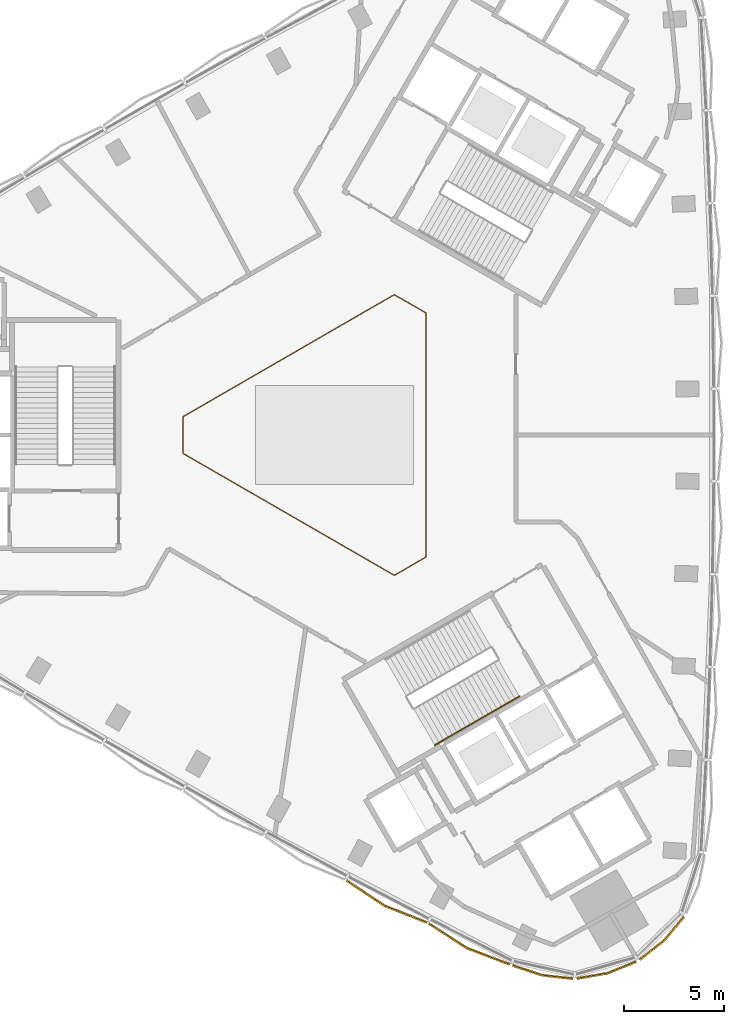
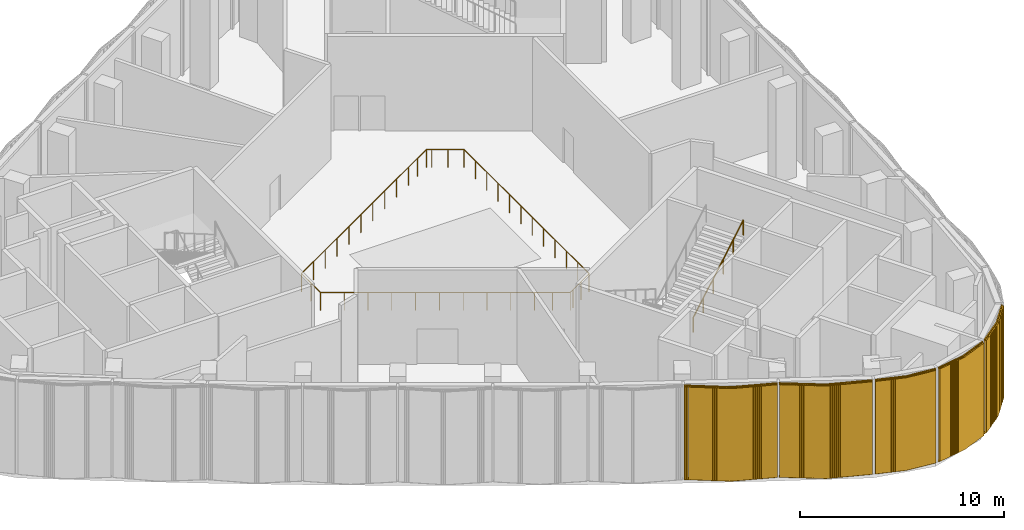
# One storey, part 10 of 14: 5 coverings, 2 railings.
"""IFC4 building model written with IfcOpenShell, lengths in metres."""

from ifc_helpers import new_model, si_unit, direction, frame, frame_2d, origin, origin_2d, place, context, subcontext, project, spatial, rectangle, circle, extrude, source, transform, mapped, material, type_object, element, save


model = new_model("IFC4")

# Units and contexts
model_context = context("Model", 3, precision=1e-05, world=origin(), true_north=direction((0.0, 1.0)))
body_context = subcontext(model_context, "Body", "Model", "MODEL_VIEW")
ifc_project = project(units=[si_unit("LENGTHUNIT", "METRE"), si_unit("AREAUNIT", "SQUARE_METRE"), si_unit("VOLUMEUNIT", "CUBIC_METRE"), si_unit("PLANEANGLEUNIT", "RADIAN"), si_unit("MASSUNIT", "GRAM", prefix="KILO")], contexts=[model_context])

# Site, building, storey
site_placement = place(None, origin())
site = spatial("IfcSite", under=ifc_project, at=site_placement, CompositionType="ELEMENT")
building_placement = place(site_placement, origin())
building = spatial("IfcBuilding", under=site, at=building_placement, Name="Tamra Quay Hotel Tower", CompositionType="ELEMENT")
storey_placement = place(building_placement, frame((0.0, 0.0, 169.60009765625)))
storey = spatial("IfcBuildingStorey", under=building, at=storey_placement, Name="L42", CompositionType="ELEMENT", Elevation=169.60009765625)

# Railings
ifc_material_1 = material(Name="Guard atrium edge 1100")
railing_type_1 = type_object("IfcRailingType", Name="Guard atrium edge 1100", PredefinedType="GUARDRAIL", material=ifc_material_1)
railing_1_placement = place(storey_placement, frame((3.23095703125, -6.909912109375, 0.0)))
element("IfcRailing", 1, at=railing_1_placement, inside=storey, type_object=railing_type_1, Name="G-A", PredefinedType="GUARDRAIL", context=body_context, shape_type="SweptSolid", body=[
    extrude(circle(Radius=0.02392578125, at=origin_2d()), frame((0.0, 0.0, 1.076171875), z_axis=(-0.871230985841, -0.490873272149, 0.0), x_axis=(0.490873272149, -0.871230985841, 0.0)), (0.0, 0.0, 1.0), 0.26513671875),
    extrude(circle(Radius=0.02392578125, at=origin_2d()), frame((-0.23095703125, -0.130126953125, 1.076171875), z_axis=(-0.866136717716, 0.499807149032, 0.0), x_axis=(-0.499807149032, -0.866136717716, 0.0)), (0.0, 0.0, 1.0), 1.746826171875),
    extrude(circle(Radius=0.02392578125, at=origin_2d()), frame((-1.743896484375, 0.742919921875, 1.076171875), z_axis=(-0.866164648448, 0.499758743575, 0.0), x_axis=(-0.499758743575, -0.866164648448, 0.0)), (0.0, 0.0, 1.0), 10.483154296875),
    extrude(circle(Radius=0.02392578125, at=origin_2d()), frame((-10.823974609375, 5.98193359375, 1.076171875), z_axis=(-0.002112764332, 0.999997768111, 0.0), x_axis=(-0.999997768111, -0.002112764332, 0.0)), (0.0, 0.0, 1.0), 1.848876953125),
    extrude(circle(Radius=0.02392578125, at=origin_2d()), frame((-10.827880859375, 7.830810546875, 1.076171875), z_axis=(0.865849387094, 0.500304745999, 0.0), x_axis=(-0.500304745999, 0.865849387094, 0.0)), (0.0, 0.0, 1.0), 10.48779296875),
    extrude(circle(Radius=0.02392578125, at=origin_2d()), frame((-1.7470703125, 13.077880859375, 1.076171875), z_axis=(0.866830894249, 0.498602247062, 0.0), x_axis=(-0.498602247062, 0.866830894249, 0.0)), (0.0, 0.0, 1.0), 1.7490234375),
    extrude(circle(Radius=0.02392578125, at=origin_2d()), frame((-0.23095703125, 13.949951171875, 1.076171875), z_axis=(0.866926357117, -0.498436246009, 0.0), x_axis=(0.498436246009, 0.866926357117, 0.0)), (0.0, 0.0, 1.0), 0.262939453125),
    extrude(circle(Radius=0.02392578125, at=origin_2d()), frame((-0.0029296875, 13.81884765625, 1.076171875), z_axis=(0.866894577435, -0.498491516089, 0.0), x_axis=(0.498491516089, 0.866894577435, 0.0)), (0.0, 0.0, 1.0), 1.574462890625),
    extrude(circle(Radius=0.02392578125, at=origin_2d()), frame((1.362060546875, 13.033935546875, 1.076171875), z_axis=(0.00031911285, -0.999999949083, 0.0), x_axis=(0.999999949083, 0.00031911285, 0.0)), (0.0, 0.0, 1.0), 12.240966796875),
    extrude(circle(Radius=0.02392578125, at=origin_2d()), frame((1.365966796875, 0.79296875, 1.076171875), z_axis=(-0.864836577702, -0.5020534771, 0.0), x_axis=(0.5020534771, -0.864836577702, 0.0)), (0.0, 0.0, 1.0), 1.579345703125),
    extrude(circle(Radius=0.02099609375, at=origin_2d()), origin(), (0.0, 0.0, 1.0), 1.052001953125),
    extrude(circle(Radius=0.02099609375, at=origin_2d()), frame((-0.23095703125, -0.130126953125, 0.0)), (0.0, 0.0, 1.0), 1.052001953125),
    extrude(circle(Radius=0.02099609375, at=origin_2d()), frame((-0.9873046875, 0.306396484375, 0.0)), (0.0, 0.0, 1.0), 1.052001953125),
    extrude(circle(Radius=0.02099609375, at=origin_2d()), frame((-1.743896484375, 0.742919921875, 0.0)), (0.0, 0.0, 1.0), 1.052001953125),
    extrude(circle(Radius=0.02099609375, at=origin_2d()), frame((-2.752685546875, 1.324951171875, 0.0)), (0.0, 0.0, 1.0), 1.052001953125),
    extrude(circle(Radius=0.02099609375, at=origin_2d()), frame((-3.76171875, 1.9072265625, 0.0)), (0.0, 0.0, 1.0), 1.052001953125),
    extrude(circle(Radius=0.02099609375, at=origin_2d()), frame((-4.7705078125, 2.4892578125, 0.0)), (0.0, 0.0, 1.0), 1.052001953125),
    extrude(circle(Radius=0.02099609375, at=origin_2d()), frame((-5.779541015625, 3.0712890625, 0.0)), (0.0, 0.0, 1.0), 1.052001953125),
    extrude(circle(Radius=0.02099609375, at=origin_2d()), frame((-6.788330078125, 3.653564453125, 0.0)), (0.0, 0.0, 1.0), 1.052001953125),
    extrude(circle(Radius=0.02099609375, at=origin_2d()), frame((-7.79736328125, 4.235595703125, 0.0)), (0.0, 0.0, 1.0), 1.052001953125),
    extrude(circle(Radius=0.02099609375, at=origin_2d()), frame((-8.80615234375, 4.817626953125, 0.0)), (0.0, 0.0, 1.0), 1.052001953125),
    extrude(circle(Radius=0.02099609375, at=origin_2d()), frame((-9.815185546875, 5.39990234375, 0.0)), (0.0, 0.0, 1.0), 1.052001953125),
    extrude(circle(Radius=0.02099609375, at=origin_2d()), frame((-10.823974609375, 5.98193359375, 0.0)), (0.0, 0.0, 1.0), 1.052001953125),
    extrude(circle(Radius=0.02099609375, at=origin_2d()), frame((-10.825927734375, 6.90625, 0.0)), (0.0, 0.0, 1.0), 1.052001953125),
    extrude(circle(Radius=0.02099609375, at=origin_2d()), frame((-10.827880859375, 7.830810546875, 0.0)), (0.0, 0.0, 1.0), 1.052001953125),
    extrude(circle(Radius=0.02099609375, at=origin_2d()), frame((-9.81884765625, 8.413818359375, 0.0)), (0.0, 0.0, 1.0), 1.052001953125),
    extrude(circle(Radius=0.02099609375, at=origin_2d()), frame((-8.809814453125, 8.996826171875, 0.0)), (0.0, 0.0, 1.0), 1.052001953125),
    extrude(circle(Radius=0.02099609375, at=origin_2d()), frame((-7.801025390625, 9.579833984375, 0.0)), (0.0, 0.0, 1.0), 1.052001953125),
    extrude(circle(Radius=0.02099609375, at=origin_2d()), frame((-6.7919921875, 10.162841796875, 0.0)), (0.0, 0.0, 1.0), 1.052001953125),
    extrude(circle(Radius=0.02099609375, at=origin_2d()), frame((-5.782958984375, 10.745849609375, 0.0)), (0.0, 0.0, 1.0), 1.052001953125),
    extrude(circle(Radius=0.02099609375, at=origin_2d()), frame((-4.77392578125, 11.328857421875, 0.0)), (0.0, 0.0, 1.0), 1.052001953125),
    extrude(circle(Radius=0.02099609375, at=origin_2d()), frame((-3.76513671875, 11.911865234375, 0.0)), (0.0, 0.0, 1.0), 1.052001953125),
    extrude(circle(Radius=0.02099609375, at=origin_2d()), frame((-2.756103515625, 12.494873046875, 0.0)), (0.0, 0.0, 1.0), 1.052001953125),
    extrude(circle(Radius=0.02099609375, at=origin_2d()), frame((-1.7470703125, 13.077880859375, 0.0)), (0.0, 0.0, 1.0), 1.052001953125),
    extrude(circle(Radius=0.02099609375, at=origin_2d()), frame((-0.989013671875, 13.513916015625, 0.0)), (0.0, 0.0, 1.0), 1.052001953125),
    extrude(circle(Radius=0.02099609375, at=origin_2d()), frame((-0.23095703125, 13.949951171875, 0.0)), (0.0, 0.0, 1.0), 1.052001953125),
    extrude(circle(Radius=0.02099609375, at=origin_2d()), frame((-0.0029296875, 13.81884765625, 0.0)), (0.0, 0.0, 1.0), 1.052001953125),
    extrude(circle(Radius=0.02099609375, at=origin_2d()), frame((0.6796875, 13.42626953125, 0.0)), (0.0, 0.0, 1.0), 1.052001953125),
    extrude(circle(Radius=0.02099609375, at=origin_2d()), frame((1.362060546875, 13.033935546875, 0.0)), (0.0, 0.0, 1.0), 1.052001953125),
    extrude(circle(Radius=0.02099609375, at=origin_2d()), frame((1.3623046875, 11.921142578125, 0.0)), (0.0, 0.0, 1.0), 1.052001953125),
    extrude(circle(Radius=0.02099609375, at=origin_2d()), frame((1.36279296875, 10.808349609375, 0.0)), (0.0, 0.0, 1.0), 1.052001953125),
    extrude(circle(Radius=0.02099609375, at=origin_2d()), frame((1.363037109375, 9.695556640625, 0.0)), (0.0, 0.0, 1.0), 1.052001953125),
    extrude(circle(Radius=0.02099609375, at=origin_2d()), frame((1.363525390625, 8.582763671875, 0.0)), (0.0, 0.0, 1.0), 1.052001953125),
    extrude(circle(Radius=0.02099609375, at=origin_2d()), frame((1.36376953125, 7.469970703125, 0.0)), (0.0, 0.0, 1.0), 1.052001953125),
    extrude(circle(Radius=0.02099609375, at=origin_2d()), frame((1.3642578125, 6.35693359375, 0.0)), (0.0, 0.0, 1.0), 1.052001953125),
    extrude(circle(Radius=0.02099609375, at=origin_2d()), frame((1.364501953125, 5.244140625, 0.0)), (0.0, 0.0, 1.0), 1.052001953125),
    extrude(circle(Radius=0.02099609375, at=origin_2d()), frame((1.364990234375, 4.13134765625, 0.0)), (0.0, 0.0, 1.0), 1.052001953125),
    extrude(circle(Radius=0.02099609375, at=origin_2d()), frame((1.365234375, 3.0185546875, 0.0)), (0.0, 0.0, 1.0), 1.052001953125),
    extrude(circle(Radius=0.02099609375, at=origin_2d()), frame((1.36572265625, 1.90576171875, 0.0)), (0.0, 0.0, 1.0), 1.052001953125),
    extrude(circle(Radius=0.02099609375, at=origin_2d()), frame((1.365966796875, 0.79296875, 0.0)), (0.0, 0.0, 1.0), 1.052001953125),
    extrude(circle(Radius=0.02099609375, at=origin_2d()), frame((0.68310546875, 0.396484375, 0.0)), (0.0, 0.0, 1.0), 1.052001953125),
])
ifc_material_2 = material(Name="Stair handrail 900")
railing_type_2 = type_object("IfcRailingType", Name="Stair handrail 900", PredefinedType="HANDRAIL", material=ifc_material_2)
railing_2_placement = place(storey_placement, frame((5.0322265625, -15.559814453125, 3.14990234375)))
element("IfcRailing", 2, at=railing_2_placement, inside=storey, type_object=railing_type_2, Name="HR", PredefinedType="HANDRAIL", context=body_context, shape_type="SweptSolid", body=[
    extrude(circle(Radius=0.02392578125, at=origin_2d()), frame((0.0, 0.0, 0.8759765625), z_axis=(0.748672028886, 0.432247440648, 0.502645345365), x_axis=(-0.500001252094, 0.866024680886, 0.0)), (0.0, 0.0, 1.0), 5.670166015625),
    extrude(circle(Radius=0.02099609375, at=origin_2d()), origin(), (0.0, 0.0, 1.0), 0.851806640625),
    extrude(circle(Radius=0.02099609375, at=origin_2d()), frame((0.84912109375, 0.490234375, 0.570068359375)), (0.0, 0.0, 1.0), 0.851806640625),
    extrude(circle(Radius=0.02099609375, at=origin_2d()), frame((1.697998046875, 0.98046875, 1.14013671875)), (0.0, 0.0, 1.0), 0.851806640625),
    extrude(circle(Radius=0.02099609375, at=origin_2d()), frame((2.547119140625, 1.470458984375, 1.7099609375)), (0.0, 0.0, 1.0), 0.851806640625),
    extrude(circle(Radius=0.02099609375, at=origin_2d()), frame((3.39599609375, 1.960693359375, 2.280029296875)), (0.0, 0.0, 1.0), 0.851806640625),
    extrude(circle(Radius=0.02099609375, at=origin_2d()), frame((4.2451171875, 2.450927734375, 2.85009765625)), (0.0, 0.0, 1.0), 0.851806640625),
])

# Coverings
ifc_material_3 = material(Name="Terracotta baguette extruded", Category="masonry")
covering_type_1 = type_object("IfcCoveringType", Name="BAGUETTE SCREEN CORNER-SHALLOW H5650", PredefinedType="USERDEFINED", material=ifc_material_3)
shared_shape_1 = source(origin(), body_context, "Body", "SweptSolid", [
    extrude(rectangle(XDim=1.56103515625, YDim=0.06005859375, at=frame_2d((0.780517578125, 0.030029296875))), frame((-1.558837890625, -0.0576171875, -0.1201171875), z_axis=(0.0, 0.0, 1.0), x_axis=(0.994521895368, -0.104528463268, 0.0)), (0.0, 0.0, 1.0), 0.1201171875),
    extrude(rectangle(XDim=1.56103515625, YDim=0.06005859375, at=frame_2d((0.780517578125, 0.030029296875))), frame((-1.558837890625, -0.0576171875, -5.64990234375), z_axis=(0.0, 0.0, 1.0), x_axis=(0.994521895368, -0.104528463268, 0.0)), (0.0, 0.0, 1.0), 0.1201171875),
    extrude(rectangle(XDim=0.094970703125, YDim=0.10009765625, at=frame_2d((0.04736328125, 0.050048828125))), frame((-1.551513671875, -0.133056640625, -5.590087890625)), (0.0, 0.0, 1.0), 5.530029296875),
    extrude(rectangle(XDim=0.094970703125, YDim=0.10009765625, at=frame_2d((0.04736328125, 0.050048828125))), frame((-1.454345703125, -0.143310546875, -5.590087890625)), (0.0, 0.0, 1.0), 5.530029296875),
    extrude(rectangle(XDim=0.094970703125, YDim=0.10009765625, at=frame_2d((0.04736328125, 0.050048828125))), frame((-1.357421875, -0.153564453125, -5.590087890625)), (0.0, 0.0, 1.0), 5.530029296875),
    extrude(rectangle(XDim=0.094970703125, YDim=0.10009765625, at=frame_2d((0.04736328125, 0.050048828125))), frame((-1.260498046875, -0.16357421875, -5.590087890625)), (0.0, 0.0, 1.0), 5.530029296875),
    extrude(rectangle(XDim=0.094970703125, YDim=0.10009765625, at=frame_2d((0.04736328125, 0.050048828125))), frame((-1.163330078125, -0.173828125, -5.590087890625)), (0.0, 0.0, 1.0), 5.530029296875),
    extrude(rectangle(XDim=0.094970703125, YDim=0.10009765625, at=frame_2d((0.04736328125, 0.050048828125))), frame((-1.06640625, -0.18408203125, -5.590087890625)), (0.0, 0.0, 1.0), 5.530029296875),
    extrude(rectangle(XDim=0.094970703125, YDim=0.10009765625, at=frame_2d((0.04736328125, 0.050048828125))), frame((-0.96923828125, -0.1943359375, -5.590087890625)), (0.0, 0.0, 1.0), 5.530029296875),
    extrude(rectangle(XDim=0.094970703125, YDim=0.10009765625, at=frame_2d((0.04736328125, 0.050048828125))), frame((-0.872314453125, -0.20458984375, -5.590087890625)), (0.0, 0.0, 1.0), 5.530029296875),
    extrude(rectangle(XDim=0.094970703125, YDim=0.10009765625, at=frame_2d((0.04736328125, 0.050048828125))), frame((-0.775146484375, -0.214599609375, -5.590087890625)), (0.0, 0.0, 1.0), 5.530029296875),
    extrude(rectangle(XDim=0.094970703125, YDim=0.10009765625, at=frame_2d((0.04736328125, 0.050048828125))), frame((-0.67822265625, -0.224853515625, -5.590087890625)), (0.0, 0.0, 1.0), 5.530029296875),
    extrude(rectangle(XDim=0.094970703125, YDim=0.10009765625, at=frame_2d((0.04736328125, 0.050048828125))), frame((-0.5810546875, -0.235107421875, -5.590087890625)), (0.0, 0.0, 1.0), 5.530029296875),
    extrude(rectangle(XDim=0.094970703125, YDim=0.10009765625, at=frame_2d((0.04736328125, 0.050048828125))), frame((-0.484130859375, -0.245361328125, -5.590087890625)), (0.0, 0.0, 1.0), 5.530029296875),
    extrude(rectangle(XDim=0.094970703125, YDim=0.10009765625, at=frame_2d((0.04736328125, 0.050048828125))), frame((-0.38720703125, -0.25537109375, -5.590087890625)), (0.0, 0.0, 1.0), 5.530029296875),
    extrude(rectangle(XDim=0.094970703125, YDim=0.10009765625, at=frame_2d((0.04736328125, 0.050048828125))), frame((-0.2900390625, -0.265625, -5.590087890625)), (0.0, 0.0, 1.0), 5.530029296875),
    extrude(rectangle(XDim=0.094970703125, YDim=0.10009765625, at=frame_2d((0.04736328125, 0.050048828125))), frame((-0.193115234375, -0.27587890625, -5.590087890625)), (0.0, 0.0, 1.0), 5.530029296875),
    extrude(rectangle(XDim=0.094970703125, YDim=0.10009765625, at=frame_2d((0.04736328125, 0.050048828125))), frame((-0.095947265625, -0.2861328125, -5.590087890625)), (0.0, 0.0, 1.0), 5.530029296875),
    extrude(rectangle(XDim=1.56103515625, YDim=0.06005859375, at=frame_2d((0.780517578125, 0.030029296875))), frame((0.00634765625, -0.220947265625, -0.1201171875), z_axis=(0.0, 0.0, 1.0), x_axis=(0.994521895368, 0.104528463268, 0.0)), (0.0, 0.0, 1.0), 0.1201171875),
    extrude(rectangle(XDim=1.56103515625, YDim=0.06005859375, at=frame_2d((0.780517578125, 0.030029296875))), frame((0.00634765625, -0.220947265625, -5.64990234375), z_axis=(0.0, 0.0, 1.0), x_axis=(0.994521895368, 0.104528463268, 0.0)), (0.0, 0.0, 1.0), 0.1201171875),
    extrude(rectangle(XDim=0.094970703125, YDim=0.10009765625, at=frame_2d((0.04736328125, 0.050048828125))), frame((0.0009765625, -0.2861328125, -5.590087890625)), (0.0, 0.0, 1.0), 5.530029296875),
    extrude(rectangle(XDim=0.094970703125, YDim=0.10009765625, at=frame_2d((0.04736328125, 0.050048828125))), frame((0.09814453125, -0.27587890625, -5.590087890625)), (0.0, 0.0, 1.0), 5.530029296875),
    extrude(rectangle(XDim=0.094970703125, YDim=0.10009765625, at=frame_2d((0.04736328125, 0.050048828125))), frame((0.195068359375, -0.265625, -5.590087890625)), (0.0, 0.0, 1.0), 5.530029296875),
    extrude(rectangle(XDim=0.094970703125, YDim=0.10009765625, at=frame_2d((0.04736328125, 0.050048828125))), frame((0.2919921875, -0.25537109375, -5.590087890625)), (0.0, 0.0, 1.0), 5.530029296875),
    extrude(rectangle(XDim=0.094970703125, YDim=0.10009765625, at=frame_2d((0.04736328125, 0.050048828125))), frame((0.38916015625, -0.245361328125, -5.590087890625)), (0.0, 0.0, 1.0), 5.530029296875),
    extrude(rectangle(XDim=0.094970703125, YDim=0.10009765625, at=frame_2d((0.04736328125, 0.050048828125))), frame((0.486083984375, -0.235107421875, -5.590087890625)), (0.0, 0.0, 1.0), 5.530029296875),
    extrude(rectangle(XDim=0.094970703125, YDim=0.10009765625, at=frame_2d((0.04736328125, 0.050048828125))), frame((0.583251953125, -0.224853515625, -5.590087890625)), (0.0, 0.0, 1.0), 5.530029296875),
    extrude(rectangle(XDim=0.094970703125, YDim=0.10009765625, at=frame_2d((0.04736328125, 0.050048828125))), frame((0.68017578125, -0.214599609375, -5.590087890625)), (0.0, 0.0, 1.0), 5.530029296875),
    extrude(rectangle(XDim=0.094970703125, YDim=0.10009765625, at=frame_2d((0.04736328125, 0.050048828125))), frame((0.77734375, -0.20458984375, -5.590087890625)), (0.0, 0.0, 1.0), 5.530029296875),
    extrude(rectangle(XDim=0.094970703125, YDim=0.10009765625, at=frame_2d((0.04736328125, 0.050048828125))), frame((0.874267578125, -0.1943359375, -5.590087890625)), (0.0, 0.0, 1.0), 5.530029296875),
    extrude(rectangle(XDim=0.094970703125, YDim=0.10009765625, at=frame_2d((0.04736328125, 0.050048828125))), frame((0.971435546875, -0.18408203125, -5.590087890625)), (0.0, 0.0, 1.0), 5.530029296875),
    extrude(rectangle(XDim=0.094970703125, YDim=0.10009765625, at=frame_2d((0.04736328125, 0.050048828125))), frame((1.068359375, -0.173828125, -5.590087890625)), (0.0, 0.0, 1.0), 5.530029296875),
    extrude(rectangle(XDim=0.094970703125, YDim=0.10009765625, at=frame_2d((0.04736328125, 0.050048828125))), frame((1.165283203125, -0.16357421875, -5.590087890625)), (0.0, 0.0, 1.0), 5.530029296875),
    extrude(rectangle(XDim=0.094970703125, YDim=0.10009765625, at=frame_2d((0.04736328125, 0.050048828125))), frame((1.262451171875, -0.153564453125, -5.590087890625)), (0.0, 0.0, 1.0), 5.530029296875),
    extrude(rectangle(XDim=0.094970703125, YDim=0.10009765625, at=frame_2d((0.04736328125, 0.050048828125))), frame((1.359375, -0.143310546875, -5.590087890625)), (0.0, 0.0, 1.0), 5.530029296875),
    extrude(rectangle(XDim=0.094970703125, YDim=0.10009765625, at=frame_2d((0.04736328125, 0.050048828125))), frame((1.45654296875, -0.133056640625, -5.590087890625)), (0.0, 0.0, 1.0), 5.530029296875),
])
for number, where, z_axis, x_axis, name in (
    (3, (10.465576171875, -26.8828125, 5.64990234375), (0.0, 0.0, 1.0), (0.976906161202, -0.213668790904, 0.0), "Baguette screen L42.SW.c09"),
    (4, (13.634033203125, -26.78466796875, 5.64990234375), (0.0, 0.0, 1.0), (0.961800959591, 0.273749729005, 0.0), "Baguette screen L42.SW.c10"),
    (5, (16.379150390625, -25.19970703125, 5.64990234375), (0.0, 0.0, 1.0), (0.717974699393, 0.696069199888, 0.0), "Baguette screen L42.SW.c11"),
):
    element("IfcCovering", number, at=place(storey_placement, frame(where, z_axis=z_axis, x_axis=x_axis)), inside=storey, type_object=covering_type_1, Name=name, ObjectType="BAGUETTE SCREEN", PredefinedType="USERDEFINED", context=body_context, shape_type="MappedRepresentation", body=[
        mapped(shared_shape_1, transform((0.0, 0.0, 0.0), scale=1.0)),
    ])
covering_type_2 = type_object("IfcCoveringType", Name="BAGUETTE SCREEN SW-SHALLOW H5650", PredefinedType="USERDEFINED", material=ifc_material_3)
shared_shape_2 = source(origin(), body_context, "Body", "SweptSolid", [
    extrude(rectangle(XDim=2.295166015625, YDim=0.06005859375, at=frame_2d((1.1474609375, 0.030029296875))), frame((-2.288818359375, -0.0576171875, -0.1201171875), z_axis=(0.0, 0.0, 1.0), x_axis=(0.994521895368, -0.104528463268, 0.0)), (0.0, 0.0, 1.0), 0.1201171875),
    extrude(rectangle(XDim=2.295166015625, YDim=0.06005859375, at=frame_2d((1.1474609375, 0.030029296875))), frame((-2.288818359375, -0.0576171875, -5.64990234375), z_axis=(0.0, 0.0, 1.0), x_axis=(0.994521895368, -0.104528463268, 0.0)), (0.0, 0.0, 1.0), 0.1201171875),
    extrude(rectangle(XDim=0.094970703125, YDim=0.10009765625, at=frame_2d((0.04736328125, 0.050048828125))), frame((-2.2802734375, -0.13330078125, -5.590087890625)), (0.0, 0.0, 1.0), 5.530029296875),
    extrude(rectangle(XDim=0.094970703125, YDim=0.10009765625, at=frame_2d((0.04736328125, 0.050048828125))), frame((-2.18115234375, -0.1435546875, -5.590087890625)), (0.0, 0.0, 1.0), 5.530029296875),
    extrude(rectangle(XDim=0.094970703125, YDim=0.10009765625, at=frame_2d((0.04736328125, 0.050048828125))), frame((-2.081787109375, -0.154052734375, -5.590087890625)), (0.0, 0.0, 1.0), 5.530029296875),
    extrude(rectangle(XDim=0.094970703125, YDim=0.10009765625, at=frame_2d((0.04736328125, 0.050048828125))), frame((-1.982666015625, -0.16455078125, -5.590087890625)), (0.0, 0.0, 1.0), 5.530029296875),
    extrude(rectangle(XDim=0.094970703125, YDim=0.10009765625, at=frame_2d((0.04736328125, 0.050048828125))), frame((-1.88330078125, -0.175048828125, -5.590087890625)), (0.0, 0.0, 1.0), 5.530029296875),
    extrude(rectangle(XDim=0.094970703125, YDim=0.10009765625, at=frame_2d((0.04736328125, 0.050048828125))), frame((-1.7841796875, -0.185302734375, -5.590087890625)), (0.0, 0.0, 1.0), 5.530029296875),
    extrude(rectangle(XDim=0.094970703125, YDim=0.10009765625, at=frame_2d((0.04736328125, 0.050048828125))), frame((-1.68505859375, -0.19580078125, -5.590087890625)), (0.0, 0.0, 1.0), 5.530029296875),
    extrude(rectangle(XDim=0.094970703125, YDim=0.10009765625, at=frame_2d((0.04736328125, 0.050048828125))), frame((-1.585693359375, -0.206298828125, -5.590087890625)), (0.0, 0.0, 1.0), 5.530029296875),
    extrude(rectangle(XDim=0.094970703125, YDim=0.10009765625, at=frame_2d((0.04736328125, 0.050048828125))), frame((-1.486572265625, -0.216552734375, -5.590087890625)), (0.0, 0.0, 1.0), 5.530029296875),
    extrude(rectangle(XDim=0.094970703125, YDim=0.10009765625, at=frame_2d((0.04736328125, 0.050048828125))), frame((-1.38720703125, -0.22705078125, -5.590087890625)), (0.0, 0.0, 1.0), 5.530029296875),
    extrude(rectangle(XDim=0.094970703125, YDim=0.10009765625, at=frame_2d((0.04736328125, 0.050048828125))), frame((-1.2880859375, -0.237548828125, -5.590087890625)), (0.0, 0.0, 1.0), 5.530029296875),
    extrude(rectangle(XDim=0.094970703125, YDim=0.10009765625, at=frame_2d((0.04736328125, 0.050048828125))), frame((-1.188720703125, -0.248046875, -5.590087890625)), (0.0, 0.0, 1.0), 5.530029296875),
    extrude(rectangle(XDim=0.094970703125, YDim=0.10009765625, at=frame_2d((0.04736328125, 0.050048828125))), frame((-1.089599609375, -0.25830078125, -5.590087890625)), (0.0, 0.0, 1.0), 5.530029296875),
    extrude(rectangle(XDim=0.094970703125, YDim=0.10009765625, at=frame_2d((0.04736328125, 0.050048828125))), frame((-0.990234375, -0.268798828125, -5.590087890625)), (0.0, 0.0, 1.0), 5.530029296875),
    extrude(rectangle(XDim=0.094970703125, YDim=0.10009765625, at=frame_2d((0.04736328125, 0.050048828125))), frame((-0.89111328125, -0.279296875, -5.590087890625)), (0.0, 0.0, 1.0), 5.530029296875),
    extrude(rectangle(XDim=0.094970703125, YDim=0.10009765625, at=frame_2d((0.04736328125, 0.050048828125))), frame((-0.791748046875, -0.28955078125, -5.590087890625)), (0.0, 0.0, 1.0), 5.530029296875),
    extrude(rectangle(XDim=0.094970703125, YDim=0.10009765625, at=frame_2d((0.04736328125, 0.050048828125))), frame((-0.692626953125, -0.300048828125, -5.590087890625)), (0.0, 0.0, 1.0), 5.530029296875),
    extrude(rectangle(XDim=0.094970703125, YDim=0.10009765625, at=frame_2d((0.04736328125, 0.050048828125))), frame((-0.59326171875, -0.310546875, -5.590087890625)), (0.0, 0.0, 1.0), 5.530029296875),
    extrude(rectangle(XDim=0.094970703125, YDim=0.10009765625, at=frame_2d((0.04736328125, 0.050048828125))), frame((-0.494140625, -0.321044921875, -5.590087890625)), (0.0, 0.0, 1.0), 5.530029296875),
    extrude(rectangle(XDim=0.094970703125, YDim=0.10009765625, at=frame_2d((0.04736328125, 0.050048828125))), frame((-0.394775390625, -0.331298828125, -5.590087890625)), (0.0, 0.0, 1.0), 5.530029296875),
    extrude(rectangle(XDim=0.094970703125, YDim=0.10009765625, at=frame_2d((0.04736328125, 0.050048828125))), frame((-0.295654296875, -0.341796875, -5.590087890625)), (0.0, 0.0, 1.0), 5.530029296875),
    extrude(rectangle(XDim=0.094970703125, YDim=0.10009765625, at=frame_2d((0.04736328125, 0.050048828125))), frame((-0.1962890625, -0.352294921875, -5.590087890625)), (0.0, 0.0, 1.0), 5.530029296875),
    extrude(rectangle(XDim=0.094970703125, YDim=0.10009765625, at=frame_2d((0.04736328125, 0.050048828125))), frame((-0.09716796875, -0.36279296875, -5.590087890625)), (0.0, 0.0, 1.0), 5.530029296875),
    extrude(rectangle(XDim=2.295166015625, YDim=0.06005859375, at=frame_2d((1.1474609375, 0.030029296875))), frame((0.00634765625, -0.297607421875, -0.1201171875), z_axis=(0.0, 0.0, 1.0), x_axis=(0.994521895368, 0.104528463268, 0.0)), (0.0, 0.0, 1.0), 0.1201171875),
    extrude(rectangle(XDim=2.295166015625, YDim=0.06005859375, at=frame_2d((1.1474609375, 0.030029296875))), frame((0.00634765625, -0.297607421875, -5.64990234375), z_axis=(0.0, 0.0, 1.0), x_axis=(0.994521895368, 0.104528463268, 0.0)), (0.0, 0.0, 1.0), 0.1201171875),
    extrude(rectangle(XDim=0.094970703125, YDim=0.10009765625, at=frame_2d((0.04736328125, 0.050048828125))), frame((0.002197265625, -0.36279296875, -5.590087890625)), (0.0, 0.0, 1.0), 5.530029296875),
    extrude(rectangle(XDim=0.094970703125, YDim=0.10009765625, at=frame_2d((0.04736328125, 0.050048828125))), frame((0.101318359375, -0.352294921875, -5.590087890625)), (0.0, 0.0, 1.0), 5.530029296875),
    extrude(rectangle(XDim=0.094970703125, YDim=0.10009765625, at=frame_2d((0.04736328125, 0.050048828125))), frame((0.20068359375, -0.341796875, -5.590087890625)), (0.0, 0.0, 1.0), 5.530029296875),
    extrude(rectangle(XDim=0.094970703125, YDim=0.10009765625, at=frame_2d((0.04736328125, 0.050048828125))), frame((0.2998046875, -0.331298828125, -5.590087890625)), (0.0, 0.0, 1.0), 5.530029296875),
    extrude(rectangle(XDim=0.094970703125, YDim=0.10009765625, at=frame_2d((0.04736328125, 0.050048828125))), frame((0.399169921875, -0.321044921875, -5.590087890625)), (0.0, 0.0, 1.0), 5.530029296875),
    extrude(rectangle(XDim=0.094970703125, YDim=0.10009765625, at=frame_2d((0.04736328125, 0.050048828125))), frame((0.498291015625, -0.310546875, -5.590087890625)), (0.0, 0.0, 1.0), 5.530029296875),
    extrude(rectangle(XDim=0.094970703125, YDim=0.10009765625, at=frame_2d((0.04736328125, 0.050048828125))), frame((0.59765625, -0.300048828125, -5.590087890625)), (0.0, 0.0, 1.0), 5.530029296875),
    extrude(rectangle(XDim=0.094970703125, YDim=0.10009765625, at=frame_2d((0.04736328125, 0.050048828125))), frame((0.69677734375, -0.28955078125, -5.590087890625)), (0.0, 0.0, 1.0), 5.530029296875),
    extrude(rectangle(XDim=0.094970703125, YDim=0.10009765625, at=frame_2d((0.04736328125, 0.050048828125))), frame((0.796142578125, -0.279296875, -5.590087890625)), (0.0, 0.0, 1.0), 5.530029296875),
    extrude(rectangle(XDim=0.094970703125, YDim=0.10009765625, at=frame_2d((0.04736328125, 0.050048828125))), frame((0.895263671875, -0.268798828125, -5.590087890625)), (0.0, 0.0, 1.0), 5.530029296875),
    extrude(rectangle(XDim=0.094970703125, YDim=0.10009765625, at=frame_2d((0.04736328125, 0.050048828125))), frame((0.99462890625, -0.25830078125, -5.590087890625)), (0.0, 0.0, 1.0), 5.530029296875),
    extrude(rectangle(XDim=0.094970703125, YDim=0.10009765625, at=frame_2d((0.04736328125, 0.050048828125))), frame((1.09375, -0.248046875, -5.590087890625)), (0.0, 0.0, 1.0), 5.530029296875),
    extrude(rectangle(XDim=0.094970703125, YDim=0.10009765625, at=frame_2d((0.04736328125, 0.050048828125))), frame((1.19287109375, -0.237548828125, -5.590087890625)), (0.0, 0.0, 1.0), 5.530029296875),
    extrude(rectangle(XDim=0.094970703125, YDim=0.10009765625, at=frame_2d((0.04736328125, 0.050048828125))), frame((1.292236328125, -0.22705078125, -5.590087890625)), (0.0, 0.0, 1.0), 5.530029296875),
    extrude(rectangle(XDim=0.094970703125, YDim=0.10009765625, at=frame_2d((0.04736328125, 0.050048828125))), frame((1.391357421875, -0.216552734375, -5.590087890625)), (0.0, 0.0, 1.0), 5.530029296875),
    extrude(rectangle(XDim=0.094970703125, YDim=0.10009765625, at=frame_2d((0.04736328125, 0.050048828125))), frame((1.49072265625, -0.206298828125, -5.590087890625)), (0.0, 0.0, 1.0), 5.530029296875),
    extrude(rectangle(XDim=0.094970703125, YDim=0.10009765625, at=frame_2d((0.04736328125, 0.050048828125))), frame((1.58984375, -0.19580078125, -5.590087890625)), (0.0, 0.0, 1.0), 5.530029296875),
    extrude(rectangle(XDim=0.094970703125, YDim=0.10009765625, at=frame_2d((0.04736328125, 0.050048828125))), frame((1.689208984375, -0.185302734375, -5.590087890625)), (0.0, 0.0, 1.0), 5.530029296875),
    extrude(rectangle(XDim=0.094970703125, YDim=0.10009765625, at=frame_2d((0.04736328125, 0.050048828125))), frame((1.788330078125, -0.175048828125, -5.590087890625)), (0.0, 0.0, 1.0), 5.530029296875),
    extrude(rectangle(XDim=0.094970703125, YDim=0.10009765625, at=frame_2d((0.04736328125, 0.050048828125))), frame((1.8876953125, -0.16455078125, -5.590087890625)), (0.0, 0.0, 1.0), 5.530029296875),
    extrude(rectangle(XDim=0.094970703125, YDim=0.10009765625, at=frame_2d((0.04736328125, 0.050048828125))), frame((1.98681640625, -0.154052734375, -5.590087890625)), (0.0, 0.0, 1.0), 5.530029296875),
    extrude(rectangle(XDim=0.094970703125, YDim=0.10009765625, at=frame_2d((0.04736328125, 0.050048828125))), frame((2.086181640625, -0.1435546875, -5.590087890625)), (0.0, 0.0, 1.0), 5.530029296875),
    extrude(rectangle(XDim=0.094970703125, YDim=0.10009765625, at=frame_2d((0.04736328125, 0.050048828125))), frame((2.185302734375, -0.13330078125, -5.590087890625)), (0.0, 0.0, 1.0), 5.530029296875),
])
for number, where, z_axis, x_axis, name in (
    (6, (2.650634765625, -23.34814453125, 5.64990234375), (0.0, 0.0, 1.0), (0.886075752722, -0.463540462569, 0.0), "Baguette screen L42.SW.f07"),
    (7, (6.792724609375, -25.478515625, 5.64990234375), (0.0, 0.0, 1.0), (0.892403172909, -0.451238935578, 0.0), "Baguette screen L42.SW.f08"),
):
    element("IfcCovering", number, at=place(storey_placement, frame(where, z_axis=z_axis, x_axis=x_axis)), inside=storey, type_object=covering_type_2, Name=name, ObjectType="BAGUETTE SCREEN", PredefinedType="USERDEFINED", context=body_context, shape_type="MappedRepresentation", body=[
        mapped(shared_shape_2, transform((0.0, 0.0, 0.0), scale=1.0)),
    ])

save(model, "model.ifc")
